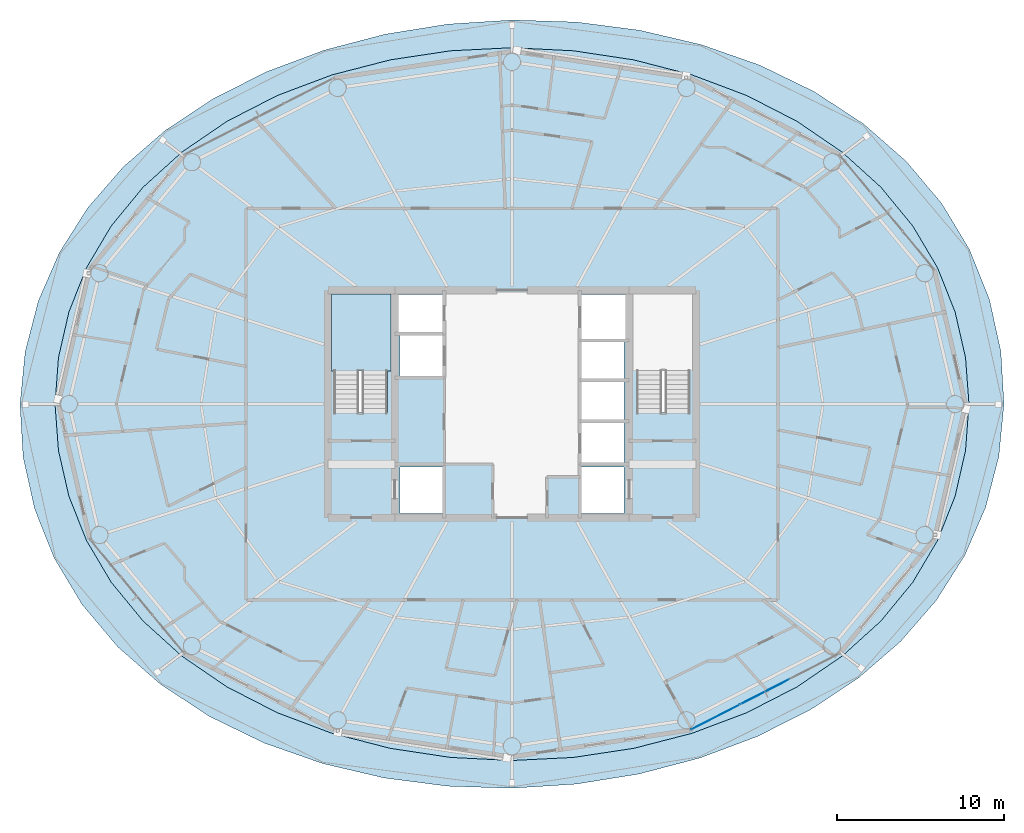
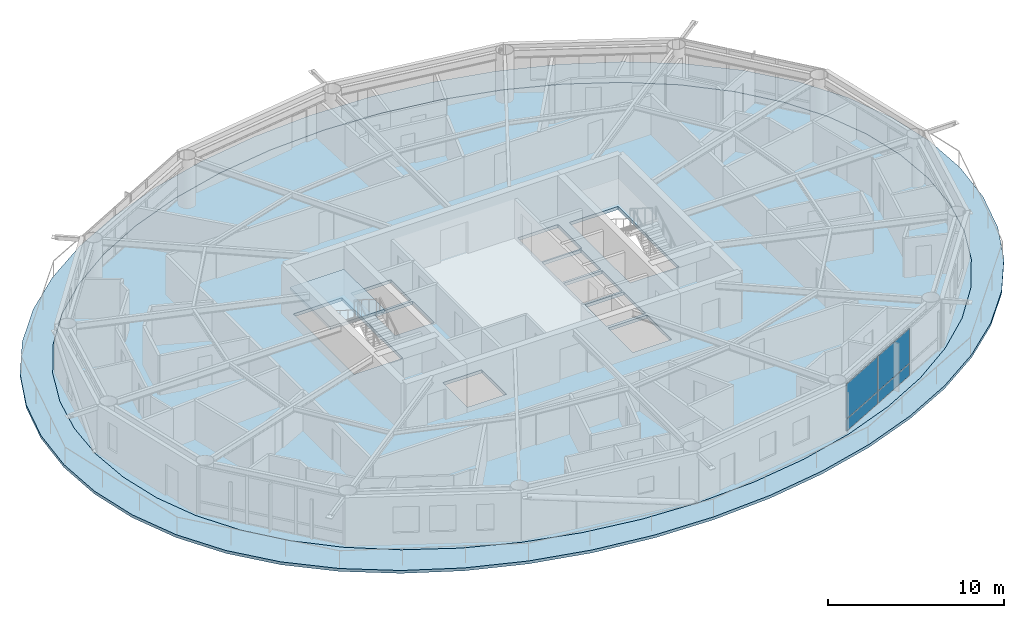
# One storey, part 17 of 29: 4 plates, 3 slabs, 2 elements without a shape of their own.
"""IFC4 building model written with IfcOpenShell, lengths in metres."""

import ifcopenshell
import ifcopenshell.guid

model = None  # the IFC model being written
_history = None  # IfcOwnerHistory: only IFC2X3 demands one
_inside = {}  # id of a spatial element -> (the spatial element, [elements in it])
_under = {}  # id of a project, library or spatial element -> (it, [spatial elements below it])
_declared = {}  # id of a project -> (the project, [libraries it declares])
_typed = {}  # id of a type object -> (the type object, [elements of that type])
_made_of = {}  # id of a material, layer set ... -> (it, [elements and type objects made of it])


def new_model(schema):
    """Start an empty IFC model of exactly this schema.

    Asked for "IFC4X3", IfcOpenShell would pick the latest addendum, in which some entities
    have other attributes; the version numbers below select the first issue.
    IFC2X3 requires an IfcOwnerHistory on every rooted entity: one is made here for all.
    """
    global model, _history
    if schema == "IFC4X3":
        model = ifcopenshell.file(schema_version=(4, 3, 0, 0))
    else:
        model = ifcopenshell.file(schema=schema)
    _inside.clear()
    _under.clear()
    _declared.clear()
    _typed.clear()
    _made_of.clear()
    _history = None
    if model.schema == "IFC2X3":
        org = make("IfcOrganization", Name="unknown")
        user = make(
            "IfcPersonAndOrganization",
            ThePerson=make("IfcPerson", FamilyName="unknown"),
            TheOrganization=org,
        )
        app = make(
            "IfcApplication",
            ApplicationDeveloper=org,
            Version="unknown",
            ApplicationFullName="unknown",
            ApplicationIdentifier="unknown",
        )
        _history = make(
            "IfcOwnerHistory",
            OwningUser=user,
            OwningApplication=app,
            ChangeAction="ADDED",
            CreationDate=0,
        )
    return model


def make(cls, **values):
    """One entity of the class cls with the attributes given. An attribute that is None is left unset."""
    return model.create_entity(
        cls, **{name: value for name, value in values.items() if value is not None}
    )


def rooted(cls, **values):
    """An entity with a GlobalId (a new one), such as an element, a storey or a relation."""
    return make(cls, GlobalId=ifcopenshell.guid.new(), OwnerHistory=_history, **values)


def si_unit(unit_type, name, prefix=None):
    """IfcSIUnit, for example si_unit("LENGTHUNIT", "METRE", prefix="MILLI")."""
    return make("IfcSIUnit", UnitType=unit_type, Prefix=prefix, Name=name)


def assignment(units):
    """IfcUnitAssignment: the units of a project."""
    return None if units is None else make("IfcUnitAssignment", Units=units)


def point(xyz):
    """IfcCartesianPoint."""
    return None if xyz is None else make("IfcCartesianPoint", Coordinates=xyz)


def direction(xyz):
    """IfcDirection."""
    return None if xyz is None else make("IfcDirection", DirectionRatios=xyz)


def frame(location, z_axis=None, x_axis=None):
    """IfcAxis2Placement3D, a coordinate frame: its origin and axes. An axis left out is left unset."""
    return make(
        "IfcAxis2Placement3D",
        Location=point(location),
        Axis=direction(z_axis),
        RefDirection=direction(x_axis),
    )


def frame_2d(location, x_axis=None):
    """IfcAxis2Placement2D, a coordinate frame in the plane: its origin and x axis."""
    return make(
        "IfcAxis2Placement2D", Location=point(location), RefDirection=direction(x_axis)
    )


def origin():
    """The frame at (0, 0, 0) with its axes left unset."""
    return frame((0.0, 0.0, 0.0))


def origin_2d():
    """The frame at (0, 0) in the plane with its x axis left unset."""
    return frame_2d((0.0, 0.0))


def place(relative_to, where):
    """IfcLocalPlacement: puts the frame where relative to a parent placement (None: the world)."""
    return make(
        "IfcLocalPlacement", PlacementRelTo=relative_to, RelativePlacement=where
    )


def context(
    kind, dimensions, precision=None, world=None, true_north=None, identifier=None
):
    """IfcGeometricRepresentationContext, for example the 3D "Model" context."""
    return make(
        "IfcGeometricRepresentationContext",
        ContextIdentifier=identifier,
        ContextType=kind,
        CoordinateSpaceDimension=dimensions,
        Precision=precision,
        WorldCoordinateSystem=world,
        TrueNorth=true_north,
    )


def subcontext(parent, identifier, kind, view, scale=None):
    """IfcGeometricRepresentationSubContext, for example "Body" below "Model"."""
    return make(
        "IfcGeometricRepresentationSubContext",
        ContextIdentifier=identifier,
        ContextType=kind,
        ParentContext=parent,
        TargetScale=scale,
        TargetView=view,
    )


def project(units=None, contexts=None):
    """IfcProject with its units and contexts."""
    return rooted(
        "IfcProject",
        Name="project",
        RepresentationContexts=contexts,
        UnitsInContext=assignment(units),
    )


def spatial(cls, under=None, at=None, **own):
    """A site, building, storey or space (cls), placed at a placement, below another one or the project."""
    s = rooted(cls, ObjectPlacement=at, **own)
    if under is not None:
        _under.setdefault(under.id(), (under, []))[1].append(s)
    return s


def polyline(points):
    """IfcPolyline through the points."""
    return make("IfcPolyline", Points=[point(p) for p in points])


def profile(cls, at=None, kind="AREA", **sizes):
    """A parametric profile (cls). Its sizes go by their IFC names, for example OverallWidth=200.0."""
    return make(cls, ProfileType=kind, Position=at, **sizes)


def rectangle(**sizes):
    """IfcRectangleProfileDef."""
    return profile("IfcRectangleProfileDef", **sizes)


def outline(outer, holes=None, kind="AREA"):
    """IfcArbitraryClosedProfileDef: a profile drawn as a closed curve; with holes, ...WithVoids."""
    if holes is None:
        return make("IfcArbitraryClosedProfileDef", ProfileType=kind, OuterCurve=outer)
    return make(
        "IfcArbitraryProfileDefWithVoids",
        ProfileType=kind,
        OuterCurve=outer,
        InnerCurves=holes,
    )


def extrude(swept, where, along, depth):
    """IfcExtrudedAreaSolid: the profile swept, set in the frame where, extruded along a direction by depth."""
    return make(
        "IfcExtrudedAreaSolid",
        SweptArea=swept,
        Position=where,
        ExtrudedDirection=direction(along),
        Depth=depth,
    )


def shape(context_of_items, identifier, shape_type, items):
    """IfcShapeRepresentation: the items that make up one representation, for example the "Body"."""
    return make(
        "IfcShapeRepresentation",
        ContextOfItems=context_of_items,
        RepresentationIdentifier=identifier,
        RepresentationType=shape_type,
        Items=items,
    )


def material(Name=None, Category=None):
    """IfcMaterial."""
    return make("IfcMaterial", Name=Name, Category=Category)


def layer(
    of_material, thickness, ventilated=None, Name=None, Category=None, Priority=None
):
    """IfcMaterialLayer: one layer of a wall or slab, of a material (None: an air gap)."""
    return make(
        "IfcMaterialLayer",
        Material=of_material,
        LayerThickness=thickness,
        IsVentilated=ventilated,
        Name=Name,
        Category=Category,
        Priority=Priority,
    )


def layer_set(layers, Name=None):
    """IfcMaterialLayerSet."""
    return make("IfcMaterialLayerSet", MaterialLayers=layers, LayerSetName=Name)


def made_of(thing, what):
    """Note that an element or type object is made of a material, layer set ...; save() writes the relation."""
    if what is not None:
        _made_of.setdefault(what.id(), (what, []))[1].append(thing)
    return thing


def type_object(cls, material=None, **own):
    """A type object (cls), such as IfcWallType, which elements share."""
    return made_of(rooted(cls, **own), material)


def element(
    cls,
    number,
    at=None,
    inside=None,
    cuts=None,
    type_object=None,
    material=None,
    context=None,
    identifier="Body",
    shape_type=None,
    held_by="IfcProductDefinitionShape",
    body=None,
    shapes=None,
    **own,
):
    """One element of the class cls, such as IfcWall. Its Tag is "e" and its number.

    at: its placement. inside: the storey or other place that contains it. cuts: it is an
    opening in that element (IfcRelVoidsElement). A single representation is given by context,
    identifier, shape_type and body (its items); several are given by shapes. held_by: the class
    of the entity that holds the representations. save() writes the other relations.
    """
    e = rooted(cls, Tag="e%d" % number, ObjectPlacement=at, **own)
    if body is not None:
        shapes = [shape(context, identifier, shape_type, body)]
    if shapes is not None:
        e.Representation = make(held_by, Representations=shapes)
    if inside is not None:
        _inside.setdefault(inside.id(), (inside, []))[1].append(e)
    if cuts is not None:
        rooted(
            "IfcRelVoidsElement", RelatingBuildingElement=cuts, RelatedOpeningElement=e
        )
    if type_object is not None:
        _typed.setdefault(type_object.id(), (type_object, []))[1].append(e)
    return made_of(e, material)


def aggregate(whole, parts):
    """IfcRelAggregates: a whole, such as a stair, and the parts it consists of."""
    return rooted("IfcRelAggregates", RelatingObject=whole, RelatedObjects=parts)


def save(model, path):
    """Write the relations noted so far, then the file.

    IfcRelAggregates (storeys below a building ...), IfcRelContainedInSpatialStructure (elements
    in a storey), IfcRelDefinesByType, IfcRelAssociatesMaterial and IfcRelDeclares: one each for
    every whole, place, type object, material and project.
    """
    for whole, parts in _under.values():
        aggregate(whole, parts)
    for where, things in _inside.values():
        rooted(
            "IfcRelContainedInSpatialStructure",
            RelatedElements=things,
            RelatingStructure=where,
        )
    for kind, things in _typed.values():
        rooted("IfcRelDefinesByType", RelatedObjects=things, RelatingType=kind)
    for what, things in _made_of.values():
        rooted("IfcRelAssociatesMaterial", RelatedObjects=things, RelatingMaterial=what)
    for by, libraries in _declared.values():
        rooted("IfcRelDeclares", RelatingContext=by, RelatedDefinitions=libraries)
    model.write(path)


model = new_model("IFC4")

# Units and contexts
model_context = context("Model", 3, precision=1e-05, world=origin(), true_north=direction((0.0, 1.0)))
body_context = subcontext(model_context, "Body", "Model", "MODEL_VIEW")
ifc_project = project(units=[si_unit("LENGTHUNIT", "METRE"), si_unit("AREAUNIT", "SQUARE_METRE"), si_unit("VOLUMEUNIT", "CUBIC_METRE"), si_unit("PLANEANGLEUNIT", "RADIAN"), si_unit("MASSUNIT", "GRAM", prefix="KILO")], contexts=[model_context])

# Site, building, storey
site_placement = place(None, origin())
site = spatial("IfcSite", under=ifc_project, at=site_placement, CompositionType="ELEMENT")
building_placement = place(site_placement, origin())
building = spatial("IfcBuilding", under=site, at=building_placement, Name="Sarneth Arch Tower", CompositionType="ELEMENT")
storey_placement = place(building_placement, frame((0.0, 0.0, 165.0)))
storey = spatial("IfcBuildingStorey", under=building, at=storey_placement, Name="L41", CompositionType="ELEMENT", Elevation=165.0)

# Curtain wall, plates
ifc_material_1 = material(Name="Anodised aluminium Type AA25 and solar-control low-e laminated IGU", Category="aluminium")
ifc_layer_1 = layer(ifc_material_1, 0.169921875)
ifc_layer_set_1 = layer_set([ifc_layer_1], Name="Anodised aluminium Type AA25 and solar-control low-e laminated IGU")
curtain_wall_type = type_object("IfcCurtainWallType", Name="CW-RES-MID", PredefinedType="NOTDEFINED", material=ifc_layer_set_1)
curtain_wall_placement = place(storey_placement, origin())
curtain_wall = element("IfcCurtainWall", 1, at=curtain_wall_placement, inside=storey, type_object=curtain_wall_type, Name="L41 Unitised curtain wall facet 14", PredefinedType="NOTDEFINED")
ifc_material_2 = material(Name="Solar-control low-e laminated IGU", Category="glass")
ifc_layer_2 = layer(ifc_material_2, 0.028076171875)
ifc_layer_set_2 = layer_set([ifc_layer_2], Name="Solar-control low-e laminated IGU")
plate_type = type_object("IfcPlateType", Name="CW-PANEL", PredefinedType="CURTAIN_PANEL", material=ifc_layer_set_2)
plate_1_placement = place(storey_placement, frame((60.16162109375, 23.29296875, 0.06005859375), z_axis=(0.0, 0.0, 1.0), x_axis=(0.88987293003, 0.456208470329, 0.0)))
plate_1 = element("IfcPlate", 2, at=plate_1_placement, type_object=plate_type, Name="Curtain wall glazed vision pane CW-L41-F14/P00-00", PredefinedType="CURTAIN_PANEL", context=body_context, shape_type="SweptSolid", body=[
    extrude(rectangle(XDim=3.248779296875, YDim=0.028076171875, at=origin_2d()), origin(), (0.0, 0.0, 1.0), 0.81005859375),
])
plate_2_placement = place(storey_placement, frame((60.16162109375, 23.29296875, 0.93017578125), z_axis=(0.0, 0.0, 1.0), x_axis=(0.88987293003, 0.456208470329, 0.0)))
plate_2 = element("IfcPlate", 3, at=plate_2_placement, type_object=plate_type, Name="Curtain wall glazed vision pane CW-L41-F14/P00-01", PredefinedType="CURTAIN_PANEL", context=body_context, shape_type="SweptSolid", body=[
    extrude(rectangle(XDim=3.248779296875, YDim=0.028076171875, at=origin_2d()), origin(), (0.0, 0.0, 1.0), 2.389892578125),
])
plate_3_placement = place(storey_placement, frame((63.119384765625, 24.809326171875, 0.06005859375), z_axis=(0.0, 0.0, 1.0), x_axis=(0.88987293003, 0.456208470329, 0.0)))
plate_3 = element("IfcPlate", 4, at=plate_3_placement, type_object=plate_type, Name="Curtain wall glazed vision pane CW-L41-F14/P01-00", PredefinedType="CURTAIN_PANEL", context=body_context, shape_type="SweptSolid", body=[
    extrude(rectangle(XDim=3.27880859375, YDim=0.028076171875, at=origin_2d()), origin(), (0.0, 0.0, 1.0), 0.81005859375),
])
plate_4_placement = place(storey_placement, frame((63.119384765625, 24.809326171875, 0.93017578125), z_axis=(0.0, 0.0, 1.0), x_axis=(0.88987293003, 0.456208470329, 0.0)))
plate_4 = element("IfcPlate", 5, at=plate_4_placement, type_object=plate_type, Name="Curtain wall glazed vision pane CW-L41-F14/P01-01", PredefinedType="CURTAIN_PANEL", context=body_context, shape_type="SweptSolid", body=[
    extrude(rectangle(XDim=3.27880859375, YDim=0.028076171875, at=origin_2d()), origin(), (0.0, 0.0, 1.0), 2.389892578125),
])
aggregate(curtain_wall, [plate_1, plate_2, plate_3, plate_4])

# Slab
ifc_material_3 = material(Name="Concrete C50/60", Category="concrete")
ifc_layer_3 = layer(ifc_material_3, 0.199951171875)
ifc_layer_set_3 = layer_set([ifc_layer_3], Name="Concrete C50/60")
slab_type_1 = type_object("IfcSlabType", Name="SLAB-BALC-200", PredefinedType="FLOOR", material=ifc_layer_set_3)
slab_1_placement = place(storey_placement, frame((0.0, 0.0, -0.199951171875)))
element("IfcSlab", 6, at=slab_1_placement, inside=storey, type_object=slab_type_1, Name="L41 Helical balcony band slab", PredefinedType="FLOOR", context=body_context, shape_type="SweptSolid", body=[
    extrude(outline(polyline([(77.40576171875, 42.0), (77.219970703125, 45.15771484375), (76.534423828125, 48.2568359375), (75.352294921875, 51.22265625), (73.686279296875, 53.9921875), (71.55859375, 56.514892578125), (69.00341796875, 58.75244140625), (66.069091796875, 60.673828125), (62.816162109375, 62.256591796875), (59.3134765625, 63.48388671875), (55.631591796875, 64.345458984375), (51.83935546875, 64.836669921875), (48.0, 64.95751953125), (44.173095703125, 64.71240234375), (40.41650390625, 64.10888671875), (36.788818359375, 63.157958984375), (33.351318359375, 61.873291015625), (30.164794921875, 60.270263671875), (27.287109375, 58.366455078125), (24.767578125, 56.18115234375), (22.64453125, 53.736083984375), (20.946044921875, 51.056396484375), (19.692626953125, 48.174560546875), (18.903076171875, 45.1357421875), (18.59423828125, 42.0), (18.780029296875, 38.84228515625), (19.465576171875, 35.7431640625), (20.647705078125, 32.77734375), (22.313720703125, 30.0078125), (24.44140625, 27.485107421875), (26.99658203125, 25.24755859375), (29.930908203125, 23.326171875), (33.183837890625, 21.743408203125), (36.6865234375, 20.51611328125), (40.368408203125, 19.654541015625), (44.16064453125, 19.163330078125), (48.0, 19.04248046875), (51.826904296875, 19.28759765625), (55.58349609375, 19.89111328125), (59.211181640625, 20.842041015625), (62.648681640625, 22.126708984375), (65.835205078125, 23.729736328125), (68.712890625, 25.633544921875), (71.232421875, 27.81884765625), (73.35546875, 30.263916015625), (75.053955078125, 32.943603515625), (76.307373046875, 35.825439453125), (77.096923828125, 38.8642578125), (77.40576171875, 42.0)]), holes=[polyline([(75.313232421875, 42.0), (75.10595703125, 44.7802734375), (74.48095703125, 47.512939453125), (73.431396484375, 50.151123046875), (71.9521484375, 52.64990234375), (70.0458984375, 54.966552734375), (67.730712890625, 57.061279296875), (65.04052734375, 58.8984375), (62.025390625, 60.4462890625), (58.7470703125, 61.6787109375), (55.27197265625, 62.57421875), (51.667724609375, 63.11767578125), (48.0, 63.300048828125), (44.332275390625, 63.11767578125), (40.72802734375, 62.57421875), (37.2529296875, 61.6787109375), (33.974609375, 60.4462890625), (30.95947265625, 58.8984375), (28.269287109375, 57.061279296875), (25.9541015625, 54.966552734375), (24.0478515625, 52.64990234375), (22.568603515625, 50.151123046875), (21.51904296875, 47.512939453125), (20.89404296875, 44.7802734375), (20.686767578125, 42.0), (20.89404296875, 39.2197265625), (21.51904296875, 36.487060546875), (22.568603515625, 33.848876953125), (24.0478515625, 31.35009765625), (25.9541015625, 29.033447265625), (28.269287109375, 26.938720703125), (30.95947265625, 25.1015625), (33.974609375, 23.5537109375), (37.2529296875, 22.3212890625), (40.72802734375, 21.42578125), (44.332275390625, 20.88232421875), (48.0, 20.699951171875), (51.667724609375, 20.88232421875), (55.27197265625, 21.42578125), (58.7470703125, 22.3212890625), (62.025390625, 23.5537109375), (65.04052734375, 25.1015625), (67.730712890625, 26.938720703125), (70.0458984375, 29.033447265625), (71.9521484375, 31.35009765625), (73.431396484375, 33.848876953125), (74.48095703125, 36.487060546875), (75.10595703125, 39.2197265625), (75.313232421875, 42.0)])]), origin(), (0.0, 0.0, 1.0), 0.199951171875),
])

# Stair, slab
ifc_material_4 = material(Name="Concrete C50/60", Category="concrete")
stair_type = type_object("IfcStairType", Name="STAIR-CORE-RC", PredefinedType="HALF_TURN_STAIR", material=ifc_material_4)
stair_placement = place(storey_placement, origin())
stair = element("IfcStair", 7, at=stair_placement, inside=storey, type_object=stair_type, Name="L41 Core Exit Stair 1", PredefinedType="HALF_TURN_STAIR")
ifc_material_5 = material(Name="Concrete C50/60", Category="concrete")
ifc_layer_4 = layer(ifc_material_5, 0.199951171875)
ifc_layer_set_4 = layer_set([ifc_layer_4], Name="Concrete C50/60")
slab_type_2 = type_object("IfcSlabType", Name="SLAB-LANDING-200", PredefinedType="LANDING", material=ifc_layer_set_4)
slab_2_placement = place(storey_placement, frame((0.0, 0.0, 1.60009765625)))
slab_2 = element("IfcSlab", 8, at=slab_2_placement, type_object=slab_type_2, Name="ST-1 landing 1", PredefinedType="LANDING", context=body_context, shape_type="SweptSolid", body=[
    extrude(outline(polyline([(37.22509765625, 43.985107421875), (40.77490234375, 43.985107421875), (40.77490234375, 48.574951171875), (37.22509765625, 48.574951171875), (37.22509765625, 43.985107421875)])), origin(), (0.0, 0.0, 1.0), 0.199951171875),
])
aggregate(stair, [slab_2])

# Slab
ifc_material_6 = material(Name="Concrete C50/60", Category="concrete")
ifc_layer_5 = layer(ifc_material_6, 0.219970703125)
ifc_layer_set_5 = layer_set([ifc_layer_5], Name="Concrete C50/60")
slab_type_3 = type_object("IfcSlabType", Name="SLAB-TOWER-220", PredefinedType="FLOOR", material=ifc_layer_set_5)
slab_3_placement = place(storey_placement, frame((0.0, 0.0, -0.219970703125)))
element("IfcSlab", 9, at=slab_3_placement, inside=storey, type_object=slab_type_3, Name="L41 Elliptical floor slab", PredefinedType="FLOOR", context=body_context, shape_type="SweptSolid", body=[
    extrude(outline(polyline([(75.313232421875, 42.0), (75.10595703125, 44.7802734375), (74.48095703125, 47.512939453125), (73.431396484375, 50.151123046875), (71.9521484375, 52.64990234375), (70.0458984375, 54.966552734375), (67.730712890625, 57.061279296875), (65.04052734375, 58.8984375), (62.025390625, 60.4462890625), (58.7470703125, 61.6787109375), (55.27197265625, 62.57421875), (51.667724609375, 63.11767578125), (48.0, 63.300048828125), (44.332275390625, 63.11767578125), (40.72802734375, 62.57421875), (37.2529296875, 61.6787109375), (33.974609375, 60.4462890625), (30.95947265625, 58.8984375), (28.269287109375, 57.061279296875), (25.9541015625, 54.966552734375), (24.0478515625, 52.64990234375), (22.568603515625, 50.151123046875), (21.51904296875, 47.512939453125), (20.89404296875, 44.7802734375), (20.686767578125, 42.0), (20.89404296875, 39.2197265625), (21.51904296875, 36.487060546875), (22.568603515625, 33.848876953125), (24.0478515625, 31.35009765625), (25.9541015625, 29.033447265625), (28.269287109375, 26.938720703125), (30.95947265625, 25.1015625), (33.974609375, 23.5537109375), (37.2529296875, 22.3212890625), (40.72802734375, 21.42578125), (44.332275390625, 20.88232421875), (48.0, 20.699951171875), (51.667724609375, 20.88232421875), (55.27197265625, 21.42578125), (58.7470703125, 22.3212890625), (62.025390625, 23.5537109375), (65.04052734375, 25.1015625), (67.730712890625, 26.938720703125), (70.0458984375, 29.033447265625), (71.9521484375, 31.35009765625), (73.431396484375, 33.848876953125), (74.48095703125, 36.487060546875), (75.10595703125, 39.2197265625), (75.313232421875, 42.0)]), holes=[polyline([(37.35009765625, 41.489990234375), (40.550048828125, 41.489990234375), (40.550048828125, 48.39990234375), (37.35009765625, 48.39990234375), (37.35009765625, 41.489990234375)]), polyline([(55.449951171875, 41.489990234375), (58.64990234375, 41.489990234375), (58.64990234375, 48.39990234375), (55.449951171875, 48.39990234375), (55.449951171875, 41.489990234375)]), polyline([(41.199951171875, 46.25), (43.85009765625, 46.25), (43.85009765625, 48.550048828125), (41.199951171875, 48.550048828125), (41.199951171875, 46.25)]), polyline([(41.300048828125, 35.449951171875), (43.85009765625, 35.449951171875), (43.85009765625, 38.25), (41.300048828125, 38.25), (41.300048828125, 35.449951171875)]), polyline([(52.14990234375, 35.449951171875), (54.699951171875, 35.449951171875), (54.699951171875, 38.25), (52.14990234375, 38.25), (52.14990234375, 35.449951171875)]), polyline([(52.14990234375, 45.85009765625), (54.800048828125, 45.85009765625), (54.800048828125, 48.550048828125), (52.14990234375, 48.550048828125), (52.14990234375, 45.85009765625)]), polyline([(41.300048828125, 43.64990234375), (43.85009765625, 43.64990234375), (43.85009765625, 46.10009765625), (41.300048828125, 46.10009765625), (41.300048828125, 43.64990234375)]), polyline([(52.14990234375, 38.449951171875), (54.699951171875, 38.449951171875), (54.699951171875, 40.89990234375), (52.14990234375, 40.89990234375), (52.14990234375, 38.449951171875)]), polyline([(52.14990234375, 41.050048828125), (54.699951171875, 41.050048828125), (54.699951171875, 43.35009765625), (52.14990234375, 43.35009765625), (52.14990234375, 41.050048828125)]), polyline([(52.14990234375, 43.5), (54.699951171875, 43.5), (54.699951171875, 45.75), (52.14990234375, 45.75), (52.14990234375, 43.5)])]), origin(), (0.0, 0.0, 1.0), 0.219970703125),
])

save(model, "model.ifc")
